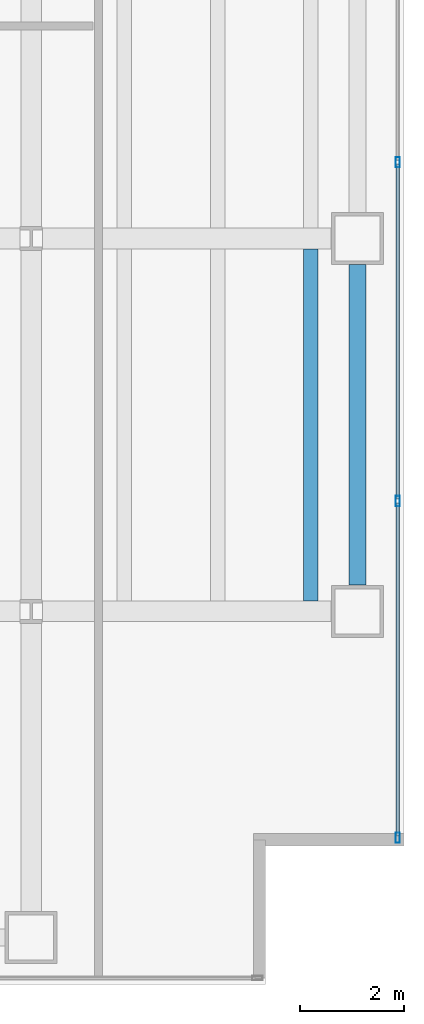
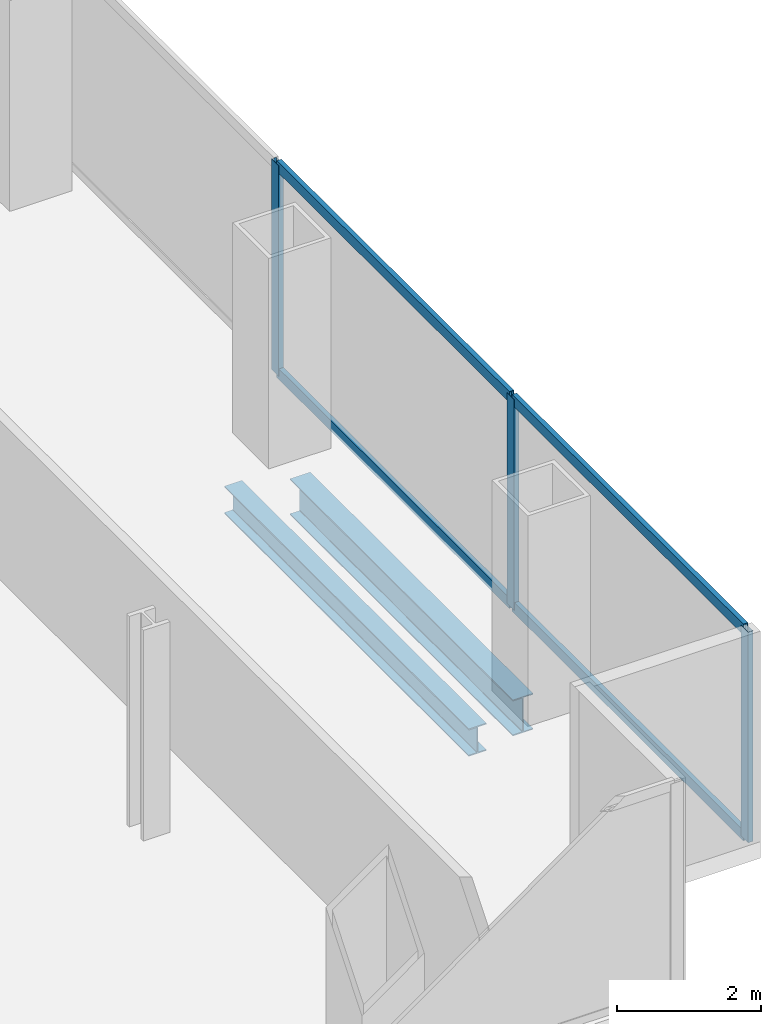
# One storey, part 10 of 23: 7 members, 2 beams, 1 element without a shape of its own.
"""IFC4 building model written with IfcOpenShell, lengths in metres."""

from ifc_helpers import new_model, si_unit, direction, frame, origin, origin_2d, place, context, subcontext, project, spatial, hollow_rectangle, i_section, extrude, material, material_profile, profile_set, type_object, element, aggregate, save


model = new_model("IFC4")

# Units and contexts
model_context = context("Model", 3, precision=1e-05, world=origin(), true_north=direction((0.0, 1.0)))
body_context = subcontext(model_context, "Body", "Model", "MODEL_VIEW")
ifc_project = project(units=[si_unit("LENGTHUNIT", "METRE"), si_unit("AREAUNIT", "SQUARE_METRE"), si_unit("VOLUMEUNIT", "CUBIC_METRE"), si_unit("PLANEANGLEUNIT", "RADIAN"), si_unit("MASSUNIT", "GRAM", prefix="KILO")], contexts=[model_context])

# Site, building, storey
site_placement = place(None, origin())
site = spatial("IfcSite", under=ifc_project, at=site_placement, CompositionType="ELEMENT")
building_placement = place(site_placement, origin())
building = spatial("IfcBuilding", under=site, at=building_placement, Name="Cobrela Telecom Tower", CompositionType="ELEMENT")
storey_placement = place(building_placement, frame((0.0, 0.0, 54.25)))
storey = spatial("IfcBuildingStorey", under=building, at=storey_placement, Name="L13", CompositionType="ELEMENT", Elevation=54.25)

# Beams
ifc_material_1 = material(Name="Steel ASTM A992 Grade 50", Category="steel")
ifc_material_profile_1 = material_profile(ifc_material_1, i_section(OverallWidth=0.281982421875, OverallDepth=0.467041015625, WebThickness=0.01220703125, FlangeThickness=0.01953125, FilletRadius=0.012939453125, at=origin_2d()), Name="W18X86")
ifc_profile_set_1 = profile_set([ifc_material_profile_1], Name="Steel ASTM A992 Grade 50")
beam_type_1 = type_object("IfcBeamType", Name="BM-JOIST-02", PredefinedType="JOIST", material=ifc_profile_set_1)
beam_1_placement = place(storey_placement, frame((48.60009765625, 7.404541015625, -0.513427734375), z_axis=(0.0, 1.0, 0.0), x_axis=(-1.0, 0.0, 0.0)))
element("IfcBeam", 1, at=beam_1_placement, inside=storey, type_object=beam_type_1, Name="L13 Secondary Composite Floor Beam J63", PredefinedType="JOIST", context=body_context, shape_type="SweptSolid", body=[
    extrude(i_section(OverallWidth=0.281982421875, OverallDepth=0.467041015625, WebThickness=0.01220703125, FlangeThickness=0.01953125, FilletRadius=0.012939453125, at=origin_2d()), origin(), (0.0, 0.0, 1.0), 6.791015625),
])
ifc_material_profile_2 = material_profile(ifc_material_1, i_section(OverallWidth=0.324951171875, OverallDepth=0.612060546875, WebThickness=0.0126953125, FlangeThickness=0.01904296875, FilletRadius=0.014892578125, at=origin_2d()), Name="W24X104")
ifc_profile_set_2 = profile_set([ifc_material_profile_2], Name="Steel ASTM A992 Grade 50")
beam_type_2 = type_object("IfcBeamType", Name="BM-SPAND-02", PredefinedType="SPANDREL", material=ifc_profile_set_2)
beam_2_placement = place(storey_placement, frame((49.5, 7.705078125, -0.5859375), z_axis=(0.0, 1.0, 0.0), x_axis=(-1.0, 0.0, 0.0)))
element("IfcBeam", 2, at=beam_2_placement, inside=storey, type_object=beam_type_2, Name="L13 Perimeter Spandrel Y56", PredefinedType="SPANDREL", context=body_context, shape_type="SweptSolid", body=[
    extrude(i_section(OverallWidth=0.324951171875, OverallDepth=0.612060546875, WebThickness=0.0126953125, FlangeThickness=0.01904296875, FilletRadius=0.014892578125, at=origin_2d()), origin(), (0.0, 0.0, 1.0), 6.18994140625),
])

# Curtain wall, members
ifc_material_2 = material(Name="Anodized Bronze Aluminium 6063-T6", Category="aluminium")
curtain_wall_type = type_object("IfcCurtainWallType", Name="CW-SYS-DATA", PredefinedType="USERDEFINED", material=ifc_material_2)
curtain_wall_placement = place(storey_placement, origin())
curtain_wall = element("IfcCurtainWall", 3, at=curtain_wall_placement, inside=storey, type_object=curtain_wall_type, Name="L13 Unitised Bronze Curtain Wall 14", ObjectType="UNITISED CURTAIN WALL", PredefinedType="USERDEFINED")
ifc_material_profile_3 = material_profile(ifc_material_2, hollow_rectangle(XDim=0.080078125, YDim=0.199951171875, WallThickness=0.00390625, at=origin_2d()), Name="ALU 80x200x4")
ifc_profile_set_3 = profile_set([ifc_material_profile_3], Name="Anodized Bronze Aluminium 6063-T6")
member_type_1 = type_object("IfcMemberType", Name="CW-SYS-DATA-MUL", PredefinedType="MULLION", material=ifc_profile_set_3)
member_1_placement = place(storey_placement, frame((50.280029296875, 15.8701171875, 0.0), z_axis=(0.0, 0.0, 1.0), x_axis=(1.0, 0.0, 0.0)))
member_1 = element("IfcMember", 4, at=member_1_placement, type_object=member_type_1, Name="CW-DATA mullion 2", PredefinedType="MULLION", context=body_context, shape_type="SweptSolid", body=[
    extrude(hollow_rectangle(XDim=0.080078125, YDim=0.199951171875, WallThickness=0.00390625, at=origin_2d()), origin(), (0.0, 0.0, 1.0), 3.570068359375),
])
member_2_placement = place(storey_placement, frame((50.280029296875, 9.330078125, 0.0), z_axis=(0.0, 0.0, 1.0), x_axis=(1.0, 0.0, 0.0)))
member_2 = element("IfcMember", 5, at=member_2_placement, type_object=member_type_1, Name="CW-DATA mullion 3", PredefinedType="MULLION", context=body_context, shape_type="SweptSolid", body=[
    extrude(hollow_rectangle(XDim=0.080078125, YDim=0.199951171875, WallThickness=0.00390625, at=origin_2d()), origin(), (0.0, 0.0, 1.0), 3.570068359375),
])
member_3_placement = place(storey_placement, frame((50.280029296875, 2.830078125, 0.0), z_axis=(0.0, 0.0, 1.0), x_axis=(1.0, 0.0, 0.0)))
member_3 = element("IfcMember", 6, at=member_3_placement, type_object=member_type_1, Name="CW-DATA mullion 4", PredefinedType="MULLION", context=body_context, shape_type="SweptSolid", body=[
    extrude(hollow_rectangle(XDim=0.080078125, YDim=0.199951171875, WallThickness=0.00390625, at=origin_2d()), origin(), (0.0, 0.0, 1.0), 3.570068359375),
])
ifc_material_profile_4 = material_profile(ifc_material_2, hollow_rectangle(XDim=0.074951171875, YDim=0.179931640625, WallThickness=0.00390625, at=origin_2d()), Name="ALU 75x180x4")
ifc_profile_set_4 = profile_set([ifc_material_profile_4], Name="Anodized Bronze Aluminium 6063-T6")
member_type_2 = type_object("IfcMemberType", Name="CW-SYS-DATA-TRN", PredefinedType="USERDEFINED", material=ifc_profile_set_4)
member_4_placement = place(storey_placement, frame((50.280029296875, 15.830078125, 0.03759765625), z_axis=(0.0, -1.0, 0.0), x_axis=(1.0, 0.0, 0.0)))
member_4 = element("IfcMember", 7, at=member_4_placement, type_object=member_type_2, Name="CW-DATA transom 2.1", ObjectType="TRANSOM", PredefinedType="USERDEFINED", context=body_context, shape_type="SweptSolid", body=[
    extrude(hollow_rectangle(XDim=0.074951171875, YDim=0.179931640625, WallThickness=0.00390625, at=origin_2d()), origin(), (0.0, 0.0, 1.0), 6.4599609375),
])
member_5_placement = place(storey_placement, frame((50.280029296875, 15.830078125, 3.532470703125), z_axis=(0.0, -1.0, 0.0), x_axis=(1.0, 0.0, 0.0)))
member_5 = element("IfcMember", 8, at=member_5_placement, type_object=member_type_2, Name="CW-DATA transom 2.2", ObjectType="TRANSOM", PredefinedType="USERDEFINED", context=body_context, shape_type="SweptSolid", body=[
    extrude(hollow_rectangle(XDim=0.074951171875, YDim=0.179931640625, WallThickness=0.00390625, at=origin_2d()), origin(), (0.0, 0.0, 1.0), 6.4599609375),
])
member_6_placement = place(storey_placement, frame((50.280029296875, 9.2900390625, 0.03759765625), z_axis=(0.0, -1.0, 0.0), x_axis=(1.0, 0.0, 0.0)))
member_6 = element("IfcMember", 9, at=member_6_placement, type_object=member_type_2, Name="CW-DATA transom 3.1", ObjectType="TRANSOM", PredefinedType="USERDEFINED", context=body_context, shape_type="SweptSolid", body=[
    extrude(hollow_rectangle(XDim=0.074951171875, YDim=0.179931640625, WallThickness=0.00390625, at=origin_2d()), origin(), (0.0, 0.0, 1.0), 6.419921875),
])
member_7_placement = place(storey_placement, frame((50.280029296875, 9.2900390625, 3.532470703125), z_axis=(0.0, -1.0, 0.0), x_axis=(1.0, 0.0, 0.0)))
member_7 = element("IfcMember", 10, at=member_7_placement, type_object=member_type_2, Name="CW-DATA transom 3.2", ObjectType="TRANSOM", PredefinedType="USERDEFINED", context=body_context, shape_type="SweptSolid", body=[
    extrude(hollow_rectangle(XDim=0.074951171875, YDim=0.179931640625, WallThickness=0.00390625, at=origin_2d()), origin(), (0.0, 0.0, 1.0), 6.419921875),
])
aggregate(curtain_wall, [member_1, member_2, member_3, member_4, member_5, member_6, member_7])

save(model, "model.ifc")
